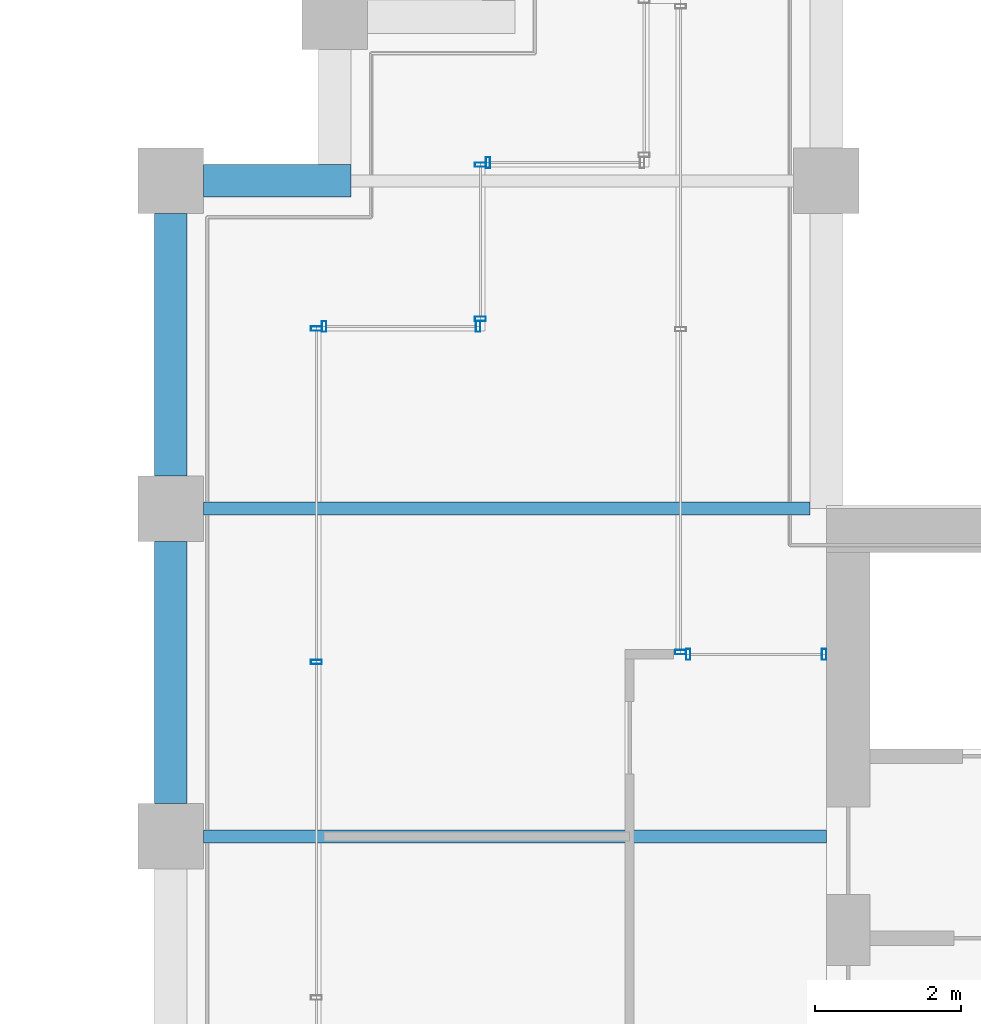
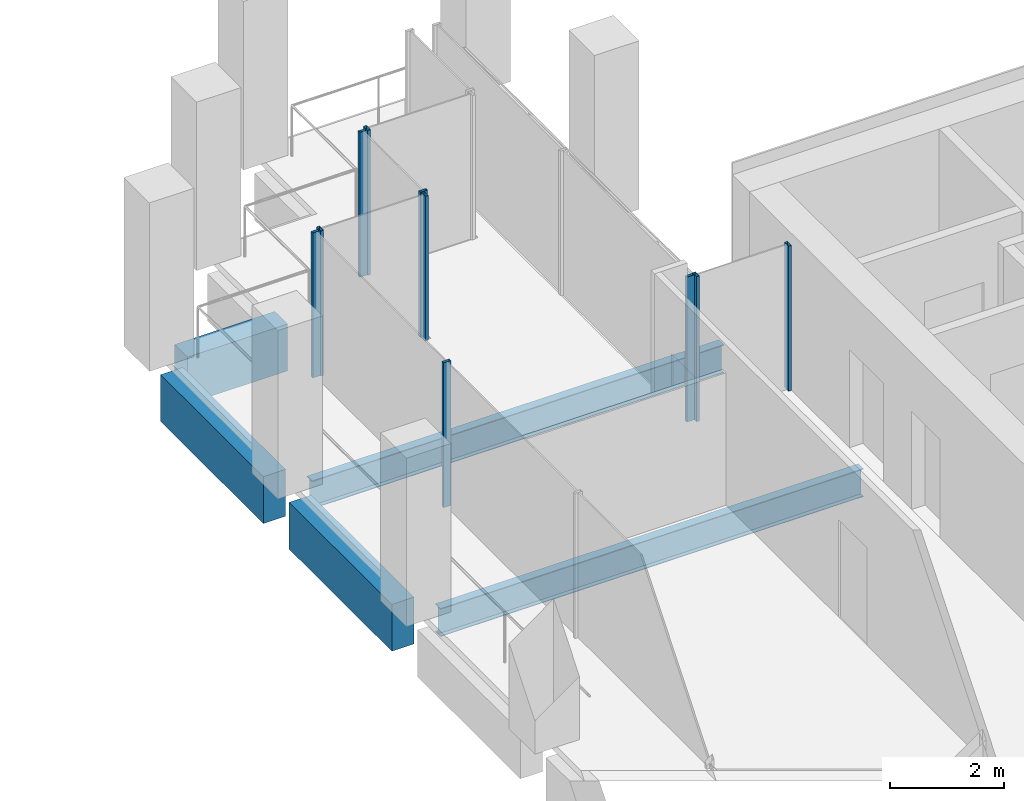
# One storey, part 32 of 40: 10 members, 5 beams, 6 elements without a shape of their own.
"""IFC4 building model written with IfcOpenShell, lengths in metres."""

from ifc_helpers import new_model, si_unit, direction, frame, origin, origin_2d, place, context, subcontext, project, spatial, rectangle, hollow_rectangle, i_section, extrude, material, material_profile, profile_set, type_object, element, aggregate, save


model = new_model("IFC4")

# Units and contexts
model_context = context("Model", 3, precision=1e-05, world=origin(), true_north=direction((0.0, 1.0)))
body_context = subcontext(model_context, "Body", "Model", "MODEL_VIEW")
ifc_project = project(units=[si_unit("LENGTHUNIT", "METRE"), si_unit("AREAUNIT", "SQUARE_METRE"), si_unit("VOLUMEUNIT", "CUBIC_METRE"), si_unit("PLANEANGLEUNIT", "RADIAN"), si_unit("MASSUNIT", "GRAM", prefix="KILO")], contexts=[model_context])

# Site, building, storey
site_placement = place(None, origin())
site = spatial("IfcSite", under=ifc_project, at=site_placement, CompositionType="ELEMENT")
building_placement = place(site_placement, origin())
building = spatial("IfcBuilding", under=site, at=building_placement, Name="Altepetl Exchange Towers", CompositionType="ELEMENT")
storey_placement = place(building_placement, frame((0.0, 0.0, 154.60009765625)))
storey = spatial("IfcBuildingStorey", under=building, at=storey_placement, Name="L38", CompositionType="ELEMENT", Elevation=154.60009765625)

# Beams
ifc_material_1 = material(Name="Steel S355", Category="steel")
ifc_material_profile_1 = material_profile(ifc_material_1, i_section(OverallWidth=0.177978515625, OverallDepth=0.59912109375, WebThickness=0.010009765625, FlangeThickness=0.0126953125, at=origin_2d()), Name="W24X55")
ifc_profile_set_1 = profile_set([ifc_material_profile_1], Name="Steel S355")
beam_type_1 = type_object("IfcBeamType", Name="Floor beam W24X55", PredefinedType="BEAM", material=ifc_profile_set_1)
beam_1_placement = place(storey_placement, frame((94.949951171875, 45.0, -0.44970703125), z_axis=(1.0, 0.0, 0.0), x_axis=(0.0, 1.0, 0.0)))
element("IfcBeam", 1, at=beam_1_placement, inside=storey, type_object=beam_type_1, Name="bm:B:L38:005", PredefinedType="BEAM", context=body_context, shape_type="SweptSolid", body=[
    extrude(i_section(OverallWidth=0.177978515625, OverallDepth=0.59912109375, WebThickness=0.010009765625, FlangeThickness=0.0126953125, at=origin_2d()), origin(), (0.0, 0.0, 1.0), 8.550048828125),
])
beam_2_placement = place(storey_placement, frame((94.949951171875, 49.5, -0.44970703125), z_axis=(1.0, 0.0, 0.0), x_axis=(0.0, 1.0, 0.0)))
element("IfcBeam", 2, at=beam_2_placement, inside=storey, type_object=beam_type_1, Name="bm:B:L38:006", PredefinedType="BEAM", context=body_context, shape_type="SweptSolid", body=[
    extrude(i_section(OverallWidth=0.177978515625, OverallDepth=0.59912109375, WebThickness=0.010009765625, FlangeThickness=0.0126953125, at=origin_2d()), origin(), (0.0, 0.0, 1.0), 8.324951171875),
])

# Curtain wall, members
ifc_material_2 = material(Name="Aluminium 6063-T6 glazing", Category="aluminium")
curtain_wall_type = type_object("IfcCurtainWallType", Name="Loggia glazing system", PredefinedType="NOTDEFINED", material=ifc_material_2)
curtain_wall_1_placement = place(storey_placement, origin())
curtain_wall_1 = element("IfcCurtainWall", 3, at=curtain_wall_1_placement, inside=storey, type_object=curtain_wall_type, Name="CW1 run", PredefinedType="NOTDEFINED")
ifc_material_3 = material(Name="Aluminium 6063-T6", Category="aluminium")
ifc_material_profile_2 = material_profile(ifc_material_3, hollow_rectangle(XDim=0.06005859375, YDim=0.14990234375, WallThickness=0.0029296875, at=origin_2d()), Name="Mullion 60x150 aluminium")
ifc_profile_set_2 = profile_set([ifc_material_profile_2], Name="Aluminium 6063-T6")
member_type = type_object("IfcMemberType", Name="Mullion 60x150 aluminium", PredefinedType="MULLION", material=ifc_profile_set_2)
member_1_placement = place(storey_placement, frame((103.469970703125, 47.5, 0.0), z_axis=(0.0, 0.0, 1.0), x_axis=(-1.0, 0.0, 0.0)))
member_1 = element("IfcMember", 4, at=member_1_placement, type_object=member_type, Name="MU1 mullion", PredefinedType="MULLION", context=body_context, shape_type="SweptSolid", body=[
    extrude(hollow_rectangle(XDim=0.06005859375, YDim=0.14990234375, WallThickness=0.0029296875, at=origin_2d()), origin(), (0.0, 0.0, 1.0), 3.099853515625),
])
member_2_placement = place(storey_placement, frame((101.60498046875, 47.5, 0.0), z_axis=(0.0, 0.0, 1.0), x_axis=(-1.0, 0.0, 0.0)))
member_2 = element("IfcMember", 5, at=member_2_placement, type_object=member_type, Name="MU1 mullion", PredefinedType="MULLION", context=body_context, shape_type="SweptSolid", body=[
    extrude(hollow_rectangle(XDim=0.06005859375, YDim=0.14990234375, WallThickness=0.0029296875, at=origin_2d()), origin(), (0.0, 0.0, 1.0), 3.099853515625),
])
aggregate(curtain_wall_1, [member_1, member_2])

# Curtain wall, member
curtain_wall_2_placement = place(storey_placement, origin())
curtain_wall_2 = element("IfcCurtainWall", 6, at=curtain_wall_2_placement, inside=storey, type_object=curtain_wall_type, Name="CW1 run", PredefinedType="NOTDEFINED")
member_3_placement = place(storey_placement, frame((101.5, 47.530029296875, 0.0), z_axis=(0.0, 0.0, 1.0), x_axis=(0.0, 1.0, 0.0)))
member_3 = element("IfcMember", 7, at=member_3_placement, type_object=member_type, Name="MU1 mullion", PredefinedType="MULLION", context=body_context, shape_type="SweptSolid", body=[
    extrude(hollow_rectangle(XDim=0.06005859375, YDim=0.14990234375, WallThickness=0.0029296875, at=origin_2d()), origin(), (0.0, 0.0, 1.0), 3.099853515625),
])
aggregate(curtain_wall_2, [member_3])

curtain_wall_3_placement = place(storey_placement, origin())
curtain_wall_3 = element("IfcCurtainWall", 8, at=curtain_wall_3_placement, inside=storey, type_object=curtain_wall_type, Name="CW1 run", PredefinedType="NOTDEFINED")
member_4_placement = place(storey_placement, frame((98.85498046875, 54.25, 0.0), z_axis=(0.0, 0.0, 1.0), x_axis=(-1.0, 0.0, 0.0)))
member_4 = element("IfcMember", 9, at=member_4_placement, type_object=member_type, Name="MU1 mullion", PredefinedType="MULLION", context=body_context, shape_type="SweptSolid", body=[
    extrude(hollow_rectangle(XDim=0.06005859375, YDim=0.14990234375, WallThickness=0.0029296875, at=origin_2d()), origin(), (0.0, 0.0, 1.0), 3.099853515625),
])
aggregate(curtain_wall_3, [member_4])

# Curtain wall, members
curtain_wall_4_placement = place(storey_placement, origin())
curtain_wall_4 = element("IfcCurtainWall", 10, at=curtain_wall_4_placement, inside=storey, type_object=curtain_wall_type, Name="CW1 run", PredefinedType="NOTDEFINED")
member_5_placement = place(storey_placement, frame((98.75, 54.219970703125, 0.0), z_axis=(0.0, 0.0, 1.0), x_axis=(0.0, -1.0, 0.0)))
member_5 = element("IfcMember", 11, at=member_5_placement, type_object=member_type, Name="MU1 mullion", PredefinedType="MULLION", context=body_context, shape_type="SweptSolid", body=[
    extrude(hollow_rectangle(XDim=0.06005859375, YDim=0.14990234375, WallThickness=0.0029296875, at=origin_2d()), origin(), (0.0, 0.0, 1.0), 3.099853515625),
])
member_6_placement = place(storey_placement, frame((98.75, 52.10498046875, 0.0), z_axis=(0.0, 0.0, 1.0), x_axis=(0.0, -1.0, 0.0)))
member_6 = element("IfcMember", 12, at=member_6_placement, type_object=member_type, Name="MU1 mullion", PredefinedType="MULLION", context=body_context, shape_type="SweptSolid", body=[
    extrude(hollow_rectangle(XDim=0.06005859375, YDim=0.14990234375, WallThickness=0.0029296875, at=origin_2d()), origin(), (0.0, 0.0, 1.0), 3.099853515625),
])
aggregate(curtain_wall_4, [member_5, member_6])

curtain_wall_5_placement = place(storey_placement, origin())
curtain_wall_5 = element("IfcCurtainWall", 13, at=curtain_wall_5_placement, inside=storey, type_object=curtain_wall_type, Name="CW1 run", PredefinedType="NOTDEFINED")
member_7_placement = place(storey_placement, frame((98.719970703125, 52.0, 0.0), z_axis=(0.0, 0.0, 1.0), x_axis=(-1.0, 0.0, 0.0)))
member_7 = element("IfcMember", 14, at=member_7_placement, type_object=member_type, Name="MU1 mullion", PredefinedType="MULLION", context=body_context, shape_type="SweptSolid", body=[
    extrude(hollow_rectangle(XDim=0.06005859375, YDim=0.14990234375, WallThickness=0.0029296875, at=origin_2d()), origin(), (0.0, 0.0, 1.0), 3.099853515625),
])
member_8_placement = place(storey_placement, frame((96.60498046875, 52.0, 0.0), z_axis=(0.0, 0.0, 1.0), x_axis=(-1.0, 0.0, 0.0)))
member_8 = element("IfcMember", 15, at=member_8_placement, type_object=member_type, Name="MU1 mullion", PredefinedType="MULLION", context=body_context, shape_type="SweptSolid", body=[
    extrude(hollow_rectangle(XDim=0.06005859375, YDim=0.14990234375, WallThickness=0.0029296875, at=origin_2d()), origin(), (0.0, 0.0, 1.0), 3.099853515625),
])
aggregate(curtain_wall_5, [member_7, member_8])

curtain_wall_6_placement = place(storey_placement, origin())
curtain_wall_6 = element("IfcCurtainWall", 16, at=curtain_wall_6_placement, inside=storey, type_object=curtain_wall_type, Name="CW1 run", PredefinedType="NOTDEFINED")
member_9_placement = place(storey_placement, frame((96.5, 51.969970703125, 0.0), z_axis=(0.0, 0.0, 1.0), x_axis=(0.0, -1.0, 0.0)))
member_9 = element("IfcMember", 17, at=member_9_placement, type_object=member_type, Name="MU1 mullion", PredefinedType="MULLION", context=body_context, shape_type="SweptSolid", body=[
    extrude(hollow_rectangle(XDim=0.06005859375, YDim=0.14990234375, WallThickness=0.0029296875, at=origin_2d()), origin(), (0.0, 0.0, 1.0), 3.099853515625),
])
member_10_placement = place(storey_placement, frame((96.5, 47.393798828125, 0.0), z_axis=(0.0, 0.0, 1.0), x_axis=(0.0, -1.0, 0.0)))
member_10 = element("IfcMember", 18, at=member_10_placement, type_object=member_type, Name="MU1 mullion", PredefinedType="MULLION", context=body_context, shape_type="SweptSolid", body=[
    extrude(hollow_rectangle(XDim=0.06005859375, YDim=0.14990234375, WallThickness=0.0029296875, at=origin_2d()), origin(), (0.0, 0.0, 1.0), 3.099853515625),
])
aggregate(curtain_wall_6, [member_9, member_10])

# Beams
ifc_material_4 = material(Name="Concrete C50/60 precast with cantera rosa facing", Category="concrete")
ifc_material_profile_3 = material_profile(ifc_material_4, rectangle(XDim=0.449951171875, YDim=1.0, at=origin_2d()), Name="450 x 1000")
ifc_profile_set_3 = profile_set([ifc_material_profile_3], Name="Concrete C50/60 precast with cantera rosa facing")
beam_type_2 = type_object("IfcBeamType", Name="Spandrel beam 450x1000 cantera rosa", PredefinedType="SPANDREL", material=ifc_profile_set_3)
beam_3_placement = place(storey_placement, frame((96.97509765625, 54.0, -0.650146484375), z_axis=(-1.0, 0.0, 0.0), x_axis=(0.0, -1.0, 0.0)))
element("IfcBeam", 19, at=beam_3_placement, inside=storey, type_object=beam_type_2, Name="sp:B:L38:014", PredefinedType="SPANDREL", context=body_context, shape_type="SweptSolid", body=[
    extrude(rectangle(XDim=0.449951171875, YDim=1.0, at=origin_2d()), origin(), (0.0, 0.0, 1.0), 2.025146484375),
])
for number, where, z_axis, x_axis, name in (
    (20, (94.5, 53.550048828125, -0.650146484375), (0.0, -1.0, 0.0), (1.0, 0.0, 0.0), "sp:B:L38:015"),
    (21, (94.5, 49.050048828125, -0.650146484375), (0.0, -1.0, 0.0), (1.0, 0.0, 0.0), "sp:B:L38:016"),
):
    element("IfcBeam", number, at=place(storey_placement, frame(where, z_axis=z_axis, x_axis=x_axis)), inside=storey, type_object=beam_type_2, Name=name, PredefinedType="SPANDREL", context=body_context, shape_type="SweptSolid", body=[
        extrude(rectangle(XDim=0.449951171875, YDim=1.0, at=origin_2d()), origin(), (0.0, 0.0, 1.0), 3.60009765625),
    ])

save(model, "model.ifc")
